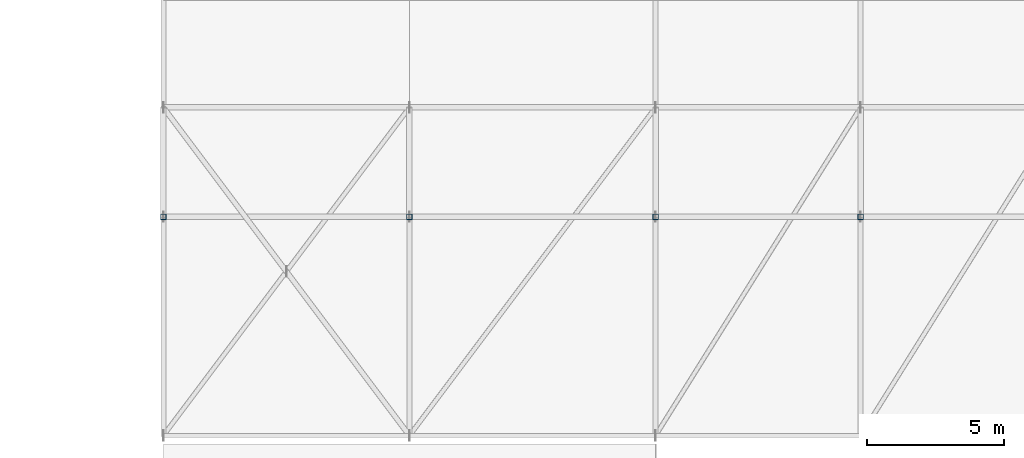
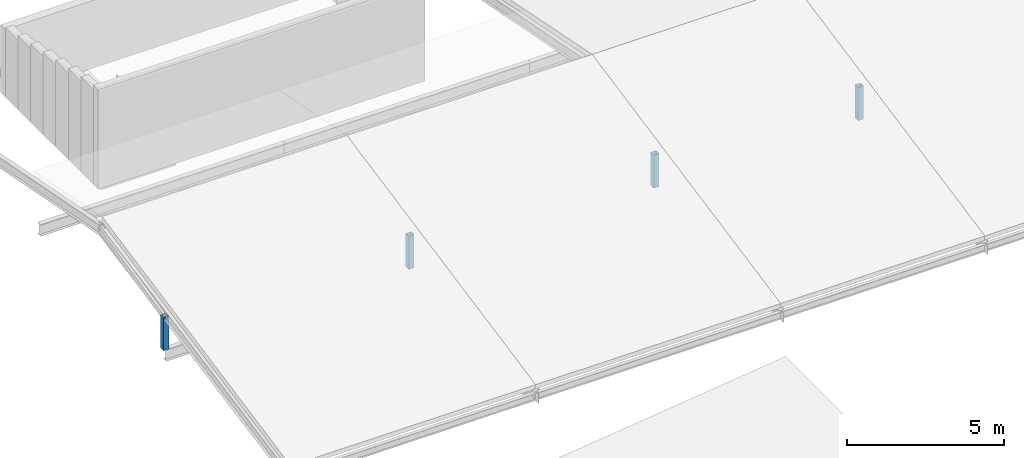
# One storey, part 7 of 93: 4 columns.
"""IFC4 building model written with IfcOpenShell, lengths in metres."""

import ifcopenshell
import ifcopenshell.guid

model = None  # the IFC model being written
_history = None  # IfcOwnerHistory: only IFC2X3 demands one
_inside = {}  # id of a spatial element -> (the spatial element, [elements in it])
_under = {}  # id of a project, library or spatial element -> (it, [spatial elements below it])
_declared = {}  # id of a project -> (the project, [libraries it declares])
_typed = {}  # id of a type object -> (the type object, [elements of that type])
_made_of = {}  # id of a material, layer set ... -> (it, [elements and type objects made of it])


def new_model(schema):
    """Start an empty IFC model of exactly this schema.

    Asked for "IFC4X3", IfcOpenShell would pick the latest addendum, in which some entities
    have other attributes; the version numbers below select the first issue.
    IFC2X3 requires an IfcOwnerHistory on every rooted entity: one is made here for all.
    """
    global model, _history
    if schema == "IFC4X3":
        model = ifcopenshell.file(schema_version=(4, 3, 0, 0))
    else:
        model = ifcopenshell.file(schema=schema)
    _inside.clear()
    _under.clear()
    _declared.clear()
    _typed.clear()
    _made_of.clear()
    _history = None
    if model.schema == "IFC2X3":
        org = make("IfcOrganization", Name="unknown")
        user = make(
            "IfcPersonAndOrganization",
            ThePerson=make("IfcPerson", FamilyName="unknown"),
            TheOrganization=org,
        )
        app = make(
            "IfcApplication",
            ApplicationDeveloper=org,
            Version="unknown",
            ApplicationFullName="unknown",
            ApplicationIdentifier="unknown",
        )
        _history = make(
            "IfcOwnerHistory",
            OwningUser=user,
            OwningApplication=app,
            ChangeAction="ADDED",
            CreationDate=0,
        )
    return model


def make(cls, **values):
    """One entity of the class cls with the attributes given. An attribute that is None is left unset."""
    return model.create_entity(
        cls, **{name: value for name, value in values.items() if value is not None}
    )


def rooted(cls, **values):
    """An entity with a GlobalId (a new one), such as an element, a storey or a relation."""
    return make(cls, GlobalId=ifcopenshell.guid.new(), OwnerHistory=_history, **values)


def si_unit(unit_type, name, prefix=None):
    """IfcSIUnit, for example si_unit("LENGTHUNIT", "METRE", prefix="MILLI")."""
    return make("IfcSIUnit", UnitType=unit_type, Prefix=prefix, Name=name)


def assignment(units):
    """IfcUnitAssignment: the units of a project."""
    return None if units is None else make("IfcUnitAssignment", Units=units)


def point(xyz):
    """IfcCartesianPoint."""
    return None if xyz is None else make("IfcCartesianPoint", Coordinates=xyz)


def direction(xyz):
    """IfcDirection."""
    return None if xyz is None else make("IfcDirection", DirectionRatios=xyz)


def frame(location, z_axis=None, x_axis=None):
    """IfcAxis2Placement3D, a coordinate frame: its origin and axes. An axis left out is left unset."""
    return make(
        "IfcAxis2Placement3D",
        Location=point(location),
        Axis=direction(z_axis),
        RefDirection=direction(x_axis),
    )


def frame_2d(location, x_axis=None):
    """IfcAxis2Placement2D, a coordinate frame in the plane: its origin and x axis."""
    return make(
        "IfcAxis2Placement2D", Location=point(location), RefDirection=direction(x_axis)
    )


def origin():
    """The frame at (0, 0, 0) with its axes left unset."""
    return frame((0.0, 0.0, 0.0))


def origin_2d():
    """The frame at (0, 0) in the plane with its x axis left unset."""
    return frame_2d((0.0, 0.0))


def place(relative_to, where):
    """IfcLocalPlacement: puts the frame where relative to a parent placement (None: the world)."""
    return make(
        "IfcLocalPlacement", PlacementRelTo=relative_to, RelativePlacement=where
    )


def context(
    kind, dimensions, precision=None, world=None, true_north=None, identifier=None
):
    """IfcGeometricRepresentationContext, for example the 3D "Model" context."""
    return make(
        "IfcGeometricRepresentationContext",
        ContextIdentifier=identifier,
        ContextType=kind,
        CoordinateSpaceDimension=dimensions,
        Precision=precision,
        WorldCoordinateSystem=world,
        TrueNorth=true_north,
    )


def subcontext(parent, identifier, kind, view, scale=None):
    """IfcGeometricRepresentationSubContext, for example "Body" below "Model"."""
    return make(
        "IfcGeometricRepresentationSubContext",
        ContextIdentifier=identifier,
        ContextType=kind,
        ParentContext=parent,
        TargetScale=scale,
        TargetView=view,
    )


def project(units=None, contexts=None):
    """IfcProject with its units and contexts."""
    return rooted(
        "IfcProject",
        Name="project",
        RepresentationContexts=contexts,
        UnitsInContext=assignment(units),
    )


def spatial(cls, under=None, at=None, **own):
    """A site, building, storey or space (cls), placed at a placement, below another one or the project."""
    s = rooted(cls, ObjectPlacement=at, **own)
    if under is not None:
        _under.setdefault(under.id(), (under, []))[1].append(s)
    return s


def profile(cls, at=None, kind="AREA", **sizes):
    """A parametric profile (cls). Its sizes go by their IFC names, for example OverallWidth=200.0."""
    return make(cls, ProfileType=kind, Position=at, **sizes)


def hollow_rectangle(**sizes):
    """IfcRectangleHollowProfileDef."""
    return profile("IfcRectangleHollowProfileDef", **sizes)


def extrude(swept, where, along, depth):
    """IfcExtrudedAreaSolid: the profile swept, set in the frame where, extruded along a direction by depth."""
    return make(
        "IfcExtrudedAreaSolid",
        SweptArea=swept,
        Position=where,
        ExtrudedDirection=direction(along),
        Depth=depth,
    )


def shape(context_of_items, identifier, shape_type, items):
    """IfcShapeRepresentation: the items that make up one representation, for example the "Body"."""
    return make(
        "IfcShapeRepresentation",
        ContextOfItems=context_of_items,
        RepresentationIdentifier=identifier,
        RepresentationType=shape_type,
        Items=items,
    )


def material(Name=None, Category=None):
    """IfcMaterial."""
    return make("IfcMaterial", Name=Name, Category=Category)


def material_profile(
    of_material, cross_section, Name=None, Category=None, Priority=None
):
    """IfcMaterialProfile: a cross section and its material."""
    return make(
        "IfcMaterialProfile",
        Name=Name,
        Material=of_material,
        Profile=cross_section,
        Priority=Priority,
        Category=Category,
    )


def profile_set(profiles, Name=None, composite=None):
    """IfcMaterialProfileSet."""
    return make(
        "IfcMaterialProfileSet",
        Name=Name,
        MaterialProfiles=profiles,
        CompositeProfile=composite,
    )


def made_of(thing, what):
    """Note that an element or type object is made of a material, layer set ...; save() writes the relation."""
    if what is not None:
        _made_of.setdefault(what.id(), (what, []))[1].append(thing)
    return thing


def type_object(cls, material=None, **own):
    """A type object (cls), such as IfcWallType, which elements share."""
    return made_of(rooted(cls, **own), material)


def element(
    cls,
    number,
    at=None,
    inside=None,
    cuts=None,
    type_object=None,
    material=None,
    context=None,
    identifier="Body",
    shape_type=None,
    held_by="IfcProductDefinitionShape",
    body=None,
    shapes=None,
    **own,
):
    """One element of the class cls, such as IfcWall. Its Tag is "e" and its number.

    at: its placement. inside: the storey or other place that contains it. cuts: it is an
    opening in that element (IfcRelVoidsElement). A single representation is given by context,
    identifier, shape_type and body (its items); several are given by shapes. held_by: the class
    of the entity that holds the representations. save() writes the other relations.
    """
    e = rooted(cls, Tag="e%d" % number, ObjectPlacement=at, **own)
    if body is not None:
        shapes = [shape(context, identifier, shape_type, body)]
    if shapes is not None:
        e.Representation = make(held_by, Representations=shapes)
    if inside is not None:
        _inside.setdefault(inside.id(), (inside, []))[1].append(e)
    if cuts is not None:
        rooted(
            "IfcRelVoidsElement", RelatingBuildingElement=cuts, RelatedOpeningElement=e
        )
    if type_object is not None:
        _typed.setdefault(type_object.id(), (type_object, []))[1].append(e)
    return made_of(e, material)


def aggregate(whole, parts):
    """IfcRelAggregates: a whole, such as a stair, and the parts it consists of."""
    return rooted("IfcRelAggregates", RelatingObject=whole, RelatedObjects=parts)


def save(model, path):
    """Write the relations noted so far, then the file.

    IfcRelAggregates (storeys below a building ...), IfcRelContainedInSpatialStructure (elements
    in a storey), IfcRelDefinesByType, IfcRelAssociatesMaterial and IfcRelDeclares: one each for
    every whole, place, type object, material and project.
    """
    for whole, parts in _under.values():
        aggregate(whole, parts)
    for where, things in _inside.values():
        rooted(
            "IfcRelContainedInSpatialStructure",
            RelatedElements=things,
            RelatingStructure=where,
        )
    for kind, things in _typed.values():
        rooted("IfcRelDefinesByType", RelatedObjects=things, RelatingType=kind)
    for what, things in _made_of.values():
        rooted("IfcRelAssociatesMaterial", RelatedObjects=things, RelatingMaterial=what)
    for by, libraries in _declared.values():
        rooted("IfcRelDeclares", RelatingContext=by, RelatedDefinitions=libraries)
    model.write(path)


model = new_model("IFC4")

# Units and contexts
model_context = context("Model", 3, precision=1e-05, world=origin(), true_north=direction((0.0, 1.0)))
body_context = subcontext(model_context, "Body", "Model", "MODEL_VIEW")
ifc_project = project(units=[si_unit("LENGTHUNIT", "METRE"), si_unit("AREAUNIT", "SQUARE_METRE"), si_unit("VOLUMEUNIT", "CUBIC_METRE"), si_unit("PLANEANGLEUNIT", "RADIAN"), si_unit("MASSUNIT", "GRAM", prefix="KILO")], contexts=[model_context])

# Site, building, storey
site_placement = place(None, origin())
site = spatial("IfcSite", under=ifc_project, at=site_placement, CompositionType="ELEMENT")
building_placement = place(site_placement, origin())
building = spatial("IfcBuilding", under=site, at=building_placement, Name="Vourika Railside Aquatics Centre", CompositionType="ELEMENT")
storey_placement = place(building_placement, frame((0.0, 0.0, 21.89990234375)))
storey = spatial("IfcBuildingStorey", under=building, at=storey_placement, Name="Roof", CompositionType="ELEMENT", Elevation=21.89990234375)

# Columns
ifc_material = material(Name="Steel S355J2", Category="steel")
ifc_material_profile = material_profile(ifc_material, hollow_rectangle(XDim=0.199951171875, YDim=0.199951171875, WallThickness=0.010009765625, at=origin_2d()), Name="SHS 200x200x10")
ifc_profile_set = profile_set([ifc_material_profile], Name="Steel S355J2")
column_type = type_object("IfcColumnType", Name="COL-STL-SHS200", PredefinedType="COLUMN", material=ifc_profile_set)
for number, where, z_axis, x_axis, name in (
    (1, (18.0, 100.0, -0.239990234375), (0.0, 0.0, 1.0), (1.0, 0.0, 0.0), "Fitness Roof King Post V5KP-18.0"),
    (2, (27.0, 100.0, -0.239990234375), (0.0, 0.0, 1.0), (1.0, 0.0, 0.0), "Fitness Roof King Post V5KP-27.0"),
    (3, (36.0, 100.0, -0.239990234375), (0.0, 0.0, 1.0), (1.0, 0.0, 0.0), "Fitness Roof King Post V5KP-36.0"),
    (4, (43.5, 100.0, -0.239990234375), (0.0, 0.0, 1.0), (1.0, 0.0, 0.0), "Fitness Roof King Post V5KP-43.5"),
):
    element("IfcColumn", number, at=place(storey_placement, frame(where, z_axis=z_axis, x_axis=x_axis)), inside=storey, type_object=column_type, Name=name, PredefinedType="COLUMN", context=body_context, shape_type="SweptSolid", body=[
        extrude(hollow_rectangle(XDim=0.199951171875, YDim=0.199951171875, WallThickness=0.010009765625, at=origin_2d()), origin(), (0.0, 0.0, 1.0), 1.2900390625),
    ])

save(model, "model.ifc")
